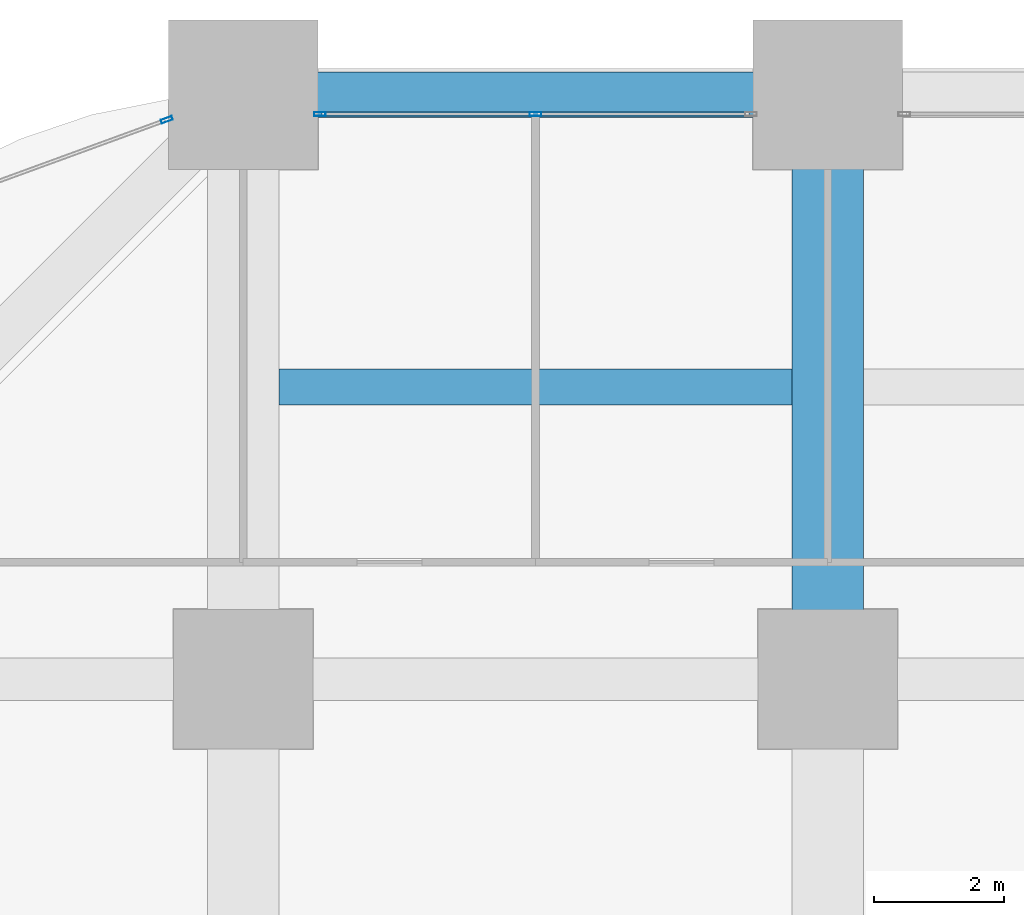
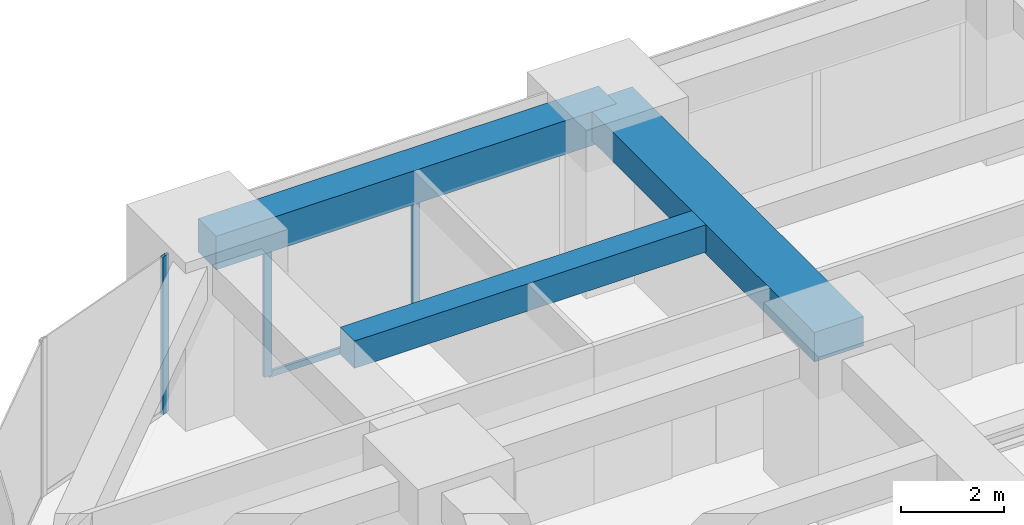
# One storey, part 28 of 44: 4 members, 3 beams, 2 elements without a shape of their own.
"""IFC4 building model written with IfcOpenShell, lengths in metres."""

from ifc_helpers import new_model, si_unit, direction, frame, origin, origin_2d, place, context, subcontext, project, spatial, rectangle, hollow_rectangle, extrude, material, material_profile, profile_set, type_object, element, aggregate, save


model = new_model("IFC4")

# Units and contexts
model_context = context("Model", 3, precision=1e-05, world=origin(), true_north=direction((0.0, 1.0)))
body_context = subcontext(model_context, "Body", "Model", "MODEL_VIEW")
ifc_project = project(units=[si_unit("LENGTHUNIT", "METRE"), si_unit("AREAUNIT", "SQUARE_METRE"), si_unit("VOLUMEUNIT", "CUBIC_METRE"), si_unit("PLANEANGLEUNIT", "RADIAN"), si_unit("MASSUNIT", "GRAM", prefix="KILO")], contexts=[model_context])

# Site, building, storey
site_placement = place(None, origin())
site = spatial("IfcSite", under=ifc_project, at=site_placement, CompositionType="ELEMENT")
building_placement = place(site_placement, origin())
building = spatial("IfcBuilding", under=site, at=building_placement, Name="Zorevar Civic Tower", CompositionType="ELEMENT")
storey_placement = place(building_placement, frame((0.0, 0.0, 59.800048828125)))
storey = spatial("IfcBuildingStorey", under=building, at=storey_placement, Name="L14", CompositionType="ELEMENT", Elevation=59.800048828125)

# Beams
ifc_material_1 = material(Name="Concrete C50/60", Category="concrete")
ifc_material_profile_1 = material_profile(ifc_material_1, rectangle(XDim=1.10009765625, YDim=0.699951171875, at=origin_2d()), Name="RC 1100x700")
ifc_profile_set_1 = profile_set([ifc_material_profile_1], Name="Concrete C50/60")
beam_type_1 = type_object("IfcBeamType", Name="Beam RC 1100x700", PredefinedType="BEAM", material=ifc_profile_set_1)
beam_1_placement = place(storey_placement, frame((18.0, 45.0, 3.39990234375), z_axis=(0.0, 1.0, 0.0), x_axis=(-1.0, 0.0, 0.0)))
element("IfcBeam", 1, at=beam_1_placement, inside=storey, type_object=beam_type_1, Name="Girder L15", PredefinedType="BEAM", context=body_context, shape_type="SweptSolid", body=[
    extrude(rectangle(XDim=1.10009765625, YDim=0.699951171875, at=origin_2d()), origin(), (0.0, 0.0, 1.0), 9.0),
])
ifc_material_2 = material(Name="Concrete C50/60", Category="concrete")
ifc_material_profile_2 = material_profile(ifc_material_2, rectangle(XDim=0.550048828125, YDim=0.64990234375, at=origin_2d()), Name="RC 550x650")
ifc_profile_set_2 = profile_set([ifc_material_profile_2], Name="Concrete C50/60")
beam_type_2 = type_object("IfcBeamType", Name="Beam RC 550x650", PredefinedType="BEAM", material=ifc_profile_set_2)
beam_2_placement = place(storey_placement, frame((9.550048828125, 49.5, 3.425048828125), z_axis=(1.0, 0.0, 0.0), x_axis=(0.0, 1.0, 0.0)))
element("IfcBeam", 2, at=beam_2_placement, inside=storey, type_object=beam_type_2, Name="Secondary beam L15", PredefinedType="BEAM", context=body_context, shape_type="SweptSolid", body=[
    extrude(rectangle(XDim=0.550048828125, YDim=0.64990234375, at=origin_2d()), origin(), (0.0, 0.0, 1.0), 7.89990234375),
])

# Curtain wall, members
ifc_material_3 = material(Name="Dark grey solar-control glass in black aluminium frame", Category="aluminium")
curtain_wall_type = type_object("IfcCurtainWallType", Name="Curtain wall CW2 low zone", PredefinedType="NOTDEFINED", material=ifc_material_3)
curtain_wall_1_placement = place(storey_placement, origin())
curtain_wall_1 = element("IfcCurtainWall", 3, at=curtain_wall_1_placement, inside=storey, type_object=curtain_wall_type, Name="CW2 L14", PredefinedType="NOTDEFINED")
ifc_material_4 = material(Name="Aluminium, black anodised", Category="aluminium")
ifc_material_profile_3 = material_profile(ifc_material_4, hollow_rectangle(XDim=0.06005859375, YDim=0.179931640625, WallThickness=0.00390625, at=origin_2d()), Name="AL 180x60x4")
ifc_profile_set_3 = profile_set([ifc_material_profile_3], Name="Aluminium, black anodised")
member_type_1 = type_object("IfcMemberType", Name="CW2 mullion AL 180x60x4", PredefinedType="MULLION", material=ifc_profile_set_3)
member_1_placement = place(storey_placement, frame((10.179931640625, 53.699951171875, 0.0), z_axis=(0.0, 0.0, 1.0), x_axis=(0.0, 1.0, 0.0)))
member_1 = element("IfcMember", 4, at=member_1_placement, type_object=member_type_1, Name="CW2 mullion 1", PredefinedType="MULLION", context=body_context, shape_type="SweptSolid", body=[
    extrude(hollow_rectangle(XDim=0.06005859375, YDim=0.179931640625, WallThickness=0.00390625, at=origin_2d()), origin(), (0.0, 0.0, 1.0), 2.949951171875),
])
member_2_placement = place(storey_placement, frame((13.5, 53.699951171875, 0.06005859375), z_axis=(0.0, 0.0, 1.0), x_axis=(0.0, 1.0, 0.0)))
member_2 = element("IfcMember", 5, at=member_2_placement, type_object=member_type_1, Name="CW2 mullion 2", PredefinedType="MULLION", context=body_context, shape_type="SweptSolid", body=[
    extrude(hollow_rectangle(XDim=0.06005859375, YDim=0.179931640625, WallThickness=0.00390625, at=origin_2d()), origin(), (0.0, 0.0, 1.0), 2.889892578125),
])

# Curtain wall, member
curtain_wall_2_placement = place(storey_placement, origin())
curtain_wall_2 = element("IfcCurtainWall", 6, at=curtain_wall_2_placement, inside=storey, type_object=curtain_wall_type, Name="CW2 L14", PredefinedType="NOTDEFINED")
member_3_placement = place(storey_placement, frame((7.82177734375, 53.61328125, 0.0), z_axis=(0.0, 0.0, 1.0), x_axis=(0.343060400701, -0.939313345732, 0.0)))
member_3 = element("IfcMember", 7, at=member_3_placement, type_object=member_type_1, Name="CW2 mullion 1", PredefinedType="MULLION", context=body_context, shape_type="SweptSolid", body=[
    extrude(hollow_rectangle(XDim=0.06005859375, YDim=0.179931640625, WallThickness=0.00390625, at=origin_2d()), origin(), (0.0, 0.0, 1.0), 3.75),
])
aggregate(curtain_wall_2, [member_3])

# Member
ifc_material_5 = material(Name="Aluminium, black anodised", Category="aluminium")
ifc_material_profile_4 = material_profile(ifc_material_5, hollow_rectangle(XDim=0.06005859375, YDim=0.14990234375, WallThickness=0.00390625, at=origin_2d()), Name="AL 150x60x4")
ifc_profile_set_4 = profile_set([ifc_material_profile_4], Name="Aluminium, black anodised")
member_type_2 = type_object("IfcMemberType", Name="CW2 transom AL 150x60x4", PredefinedType="USERDEFINED", material=ifc_profile_set_4)
member_4_placement = place(storey_placement, frame((10.2099609375, 53.699951171875, 0.030029296875), z_axis=(1.0, 0.0, 0.0), x_axis=(0.0, 1.0, 0.0)))
member_4 = element("IfcMember", 8, at=member_4_placement, type_object=member_type_2, Name="CW2 sill transom", ObjectType="TRANSOM", PredefinedType="USERDEFINED", context=body_context, shape_type="SweptSolid", body=[
    extrude(hollow_rectangle(XDim=0.06005859375, YDim=0.14990234375, WallThickness=0.00390625, at=origin_2d()), origin(), (0.0, 0.0, 1.0), 6.580078125),
])

aggregate(curtain_wall_1, [member_1, member_2, member_4])

# Beam
ifc_material_6 = material(Name="Concrete C50/60", Category="concrete")
ifc_material_profile_5 = material_profile(ifc_material_6, rectangle(XDim=0.699951171875, YDim=0.800048828125, at=origin_2d()), Name="RC 700x800")
ifc_profile_set_5 = profile_set([ifc_material_profile_5], Name="Concrete C50/60")
beam_type_3 = type_object("IfcBeamType", Name="Edge beam RC 700x800", PredefinedType="SPANDREL", material=ifc_profile_set_5)
beam_3_placement = place(storey_placement, frame((9.0, 54.0, 3.349853515625), z_axis=(1.0, 0.0, 0.0), x_axis=(0.0, 1.0, 0.0)))
element("IfcBeam", 9, at=beam_3_placement, inside=storey, type_object=beam_type_3, Name="Edge beam L15", PredefinedType="SPANDREL", context=body_context, shape_type="SweptSolid", body=[
    extrude(rectangle(XDim=0.699951171875, YDim=0.800048828125, at=origin_2d()), origin(), (0.0, 0.0, 1.0), 9.0),
])

save(model, "model.ifc")
